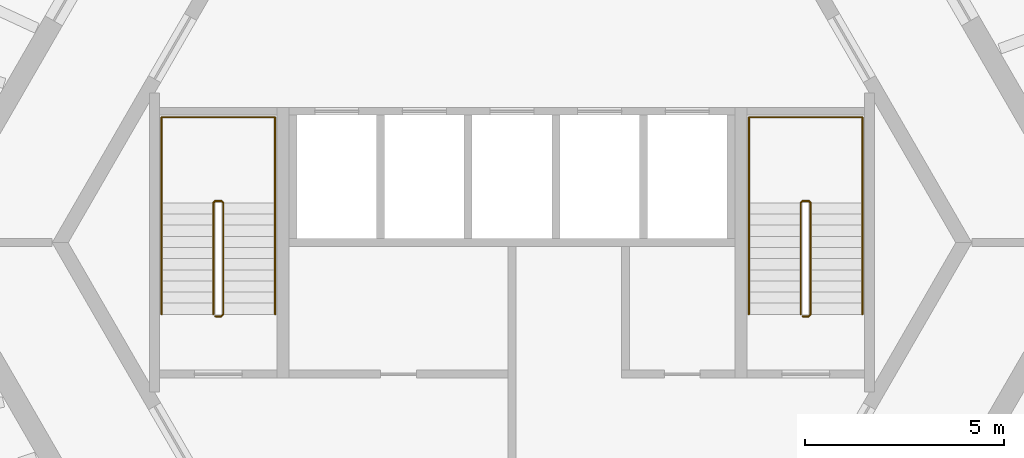
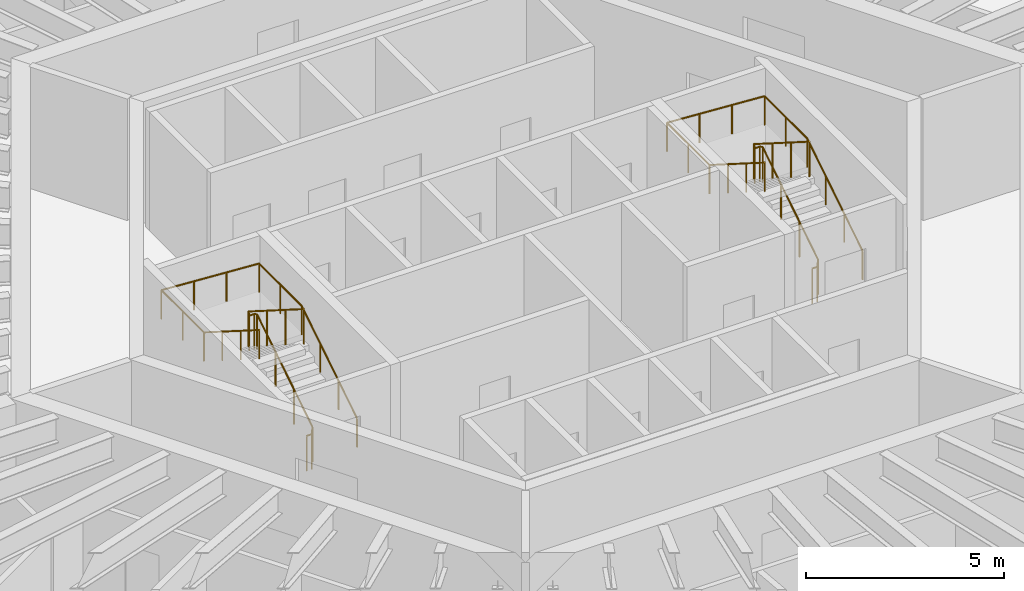
# One storey, part 10 of 10: 4 railings.
"""IFC4 building model written with IfcOpenShell, lengths in metres."""

from ifc_helpers import new_model, si_unit, direction, frame, origin, origin_2d, place, context, subcontext, project, spatial, circle, extrude, material, type_object, element, save


model = new_model("IFC4")

# Units and contexts
model_context = context("Model", 3, precision=1e-05, world=origin(), true_north=direction((0.0, 1.0)))
body_context = subcontext(model_context, "Body", "Model", "MODEL_VIEW")
ifc_project = project(units=[si_unit("LENGTHUNIT", "METRE"), si_unit("AREAUNIT", "SQUARE_METRE"), si_unit("VOLUMEUNIT", "CUBIC_METRE"), si_unit("PLANEANGLEUNIT", "RADIAN"), si_unit("MASSUNIT", "GRAM", prefix="KILO")], contexts=[model_context])

# Site, building, storey
site_placement = place(None, origin())
site = spatial("IfcSite", under=ifc_project, at=site_placement, CompositionType="ELEMENT")
building_placement = place(site_placement, origin())
building = spatial("IfcBuilding", under=site, at=building_placement, Name="Tarnside Tower", CompositionType="ELEMENT")
storey_placement = place(building_placement, frame((0.0, 0.0, 211.199951171875)))
storey = spatial("IfcBuildingStorey", under=building, at=storey_placement, Name="L50", CompositionType="ELEMENT", Elevation=211.199951171875)

# Railings
ifc_material = material(Name="Stainless steel", Category="steel")
railing_type_1 = type_object("IfcRailingType", Name="Stair guard 1100", PredefinedType="GUARDRAIL", material=ifc_material)
railing_1_placement = place(storey_placement, frame((7.300048828125, -1.85009765625, 0.0)))
element("IfcRailing", 1, at=railing_1_placement, inside=storey, type_object=railing_type_1, Name="L50 ST1 stair guard 1", PredefinedType="GUARDRAIL", context=body_context, shape_type="SweptSolid", body=[
    extrude(circle(Radius=0.02392578125, at=origin_2d()), frame((0.0, 0.0, 1.076171875), z_axis=(1.0, 0.0, 0.0), x_axis=(0.0, 1.0, 0.0)), (0.0, 0.0, 1.0), 0.14990234375),
    extrude(circle(Radius=0.02392578125, at=origin_2d()), frame((0.14990234375, 0.0, 1.076171875), z_axis=(0.262233686654, 0.262233686654, 0.928691007369), x_axis=(-0.707106781187, 0.707106781187, 0.0)), (0.0, 0.0, 1.0), 0.19091796875),
    extrude(circle(Radius=0.02392578125, at=origin_2d()), frame((0.199951171875, 0.050048828125, 1.25341796875), z_axis=(0.0, 0.844908973607, 0.534910110503), x_axis=(-1.0, 0.0, 0.0)), (0.0, 0.0, 1.0), 3.31396484375),
    extrude(circle(Radius=0.02392578125, at=origin_2d()), frame((0.199951171875, 2.85009765625, 3.02587890625), z_axis=(-0.707106781187, 0.707106781187, 0.0), x_axis=(-0.707106781187, -0.707106781187, 0.0)), (0.0, 0.0, 1.0), 0.07080078125),
    extrude(circle(Radius=0.02392578125, at=origin_2d()), frame((0.14990234375, 2.900146484375, 3.02587890625), z_axis=(-1.0, 0.0, 0.0), x_axis=(0.0, -1.0, 0.0)), (0.0, 0.0, 1.0), 0.14990234375),
    extrude(circle(Radius=0.02392578125, at=origin_2d()), frame((0.0, 2.900146484375, 3.02587890625), z_axis=(-0.261922500866, -0.261922500866, 0.928866625022), x_axis=(0.707106781187, -0.707106781187, 0.0)), (0.0, 0.0, 1.0), 0.191162109375),
    extrude(circle(Radius=0.02392578125, at=origin_2d()), frame((-0.050048828125, 2.85009765625, 3.20361328125), z_axis=(0.0, -0.844908973607, 0.534910110503), x_axis=(1.0, 0.0, 0.0)), (0.0, 0.0, 1.0), 3.31396484375),
    extrude(circle(Radius=0.02099609375, at=origin_2d()), origin(), (0.0, 0.0, 1.0), 1.052001953125),
    extrude(circle(Radius=0.02099609375, at=origin_2d()), frame((0.14990234375, 0.0, 0.0)), (0.0, 0.0, 1.0), 1.052001953125),
    extrude(circle(Radius=0.02099609375, at=origin_2d()), frame((0.199951171875, 0.050048828125, 0.17724609375)), (0.0, 0.0, 1.0), 1.052001953125),
    extrude(circle(Radius=0.02099609375, at=origin_2d()), frame((0.199951171875, 0.9833984375, 0.76806640625)), (0.0, 0.0, 1.0), 1.052001953125),
    extrude(circle(Radius=0.02099609375, at=origin_2d()), frame((0.199951171875, 1.916748046875, 1.359130859375)), (0.0, 0.0, 1.0), 1.052001953125),
    extrude(circle(Radius=0.02099609375, at=origin_2d()), frame((0.199951171875, 2.85009765625, 1.949951171875)), (0.0, 0.0, 1.0), 1.052001953125),
    extrude(circle(Radius=0.02099609375, at=origin_2d()), frame((0.14990234375, 2.900146484375, 1.949951171875)), (0.0, 0.0, 1.0), 1.052001953125),
    extrude(circle(Radius=0.02099609375, at=origin_2d()), frame((0.0, 2.900146484375, 1.949951171875)), (0.0, 0.0, 1.0), 1.052001953125),
    extrude(circle(Radius=0.02099609375, at=origin_2d()), frame((-0.050048828125, 2.85009765625, 2.12744140625)), (0.0, 0.0, 1.0), 1.052001953125),
    extrude(circle(Radius=0.02099609375, at=origin_2d()), frame((-0.050048828125, 1.916748046875, 2.71826171875)), (0.0, 0.0, 1.0), 1.052001953125),
    extrude(circle(Radius=0.02099609375, at=origin_2d()), frame((-0.050048828125, 0.9833984375, 3.309326171875)), (0.0, 0.0, 1.0), 1.052001953125),
    extrude(circle(Radius=0.02099609375, at=origin_2d()), frame((-0.050048828125, 0.050048828125, 3.900146484375)), (0.0, 0.0, 1.0), 1.052001953125),
])
railing_2_placement = place(storey_placement, frame((-7.449951171875, -1.85009765625, 0.0)))
element("IfcRailing", 2, at=railing_2_placement, inside=storey, type_object=railing_type_1, Name="L50 ST2 stair guard 1", PredefinedType="GUARDRAIL", context=body_context, shape_type="SweptSolid", body=[
    extrude(circle(Radius=0.02392578125, at=origin_2d()), frame((0.0, 0.0, 1.076171875), z_axis=(1.0, 0.0, 0.0), x_axis=(0.0, 1.0, 0.0)), (0.0, 0.0, 1.0), 0.14990234375),
    extrude(circle(Radius=0.02392578125, at=origin_2d()), frame((0.14990234375, 0.0, 1.076171875), z_axis=(0.262233686654, 0.262233686654, 0.928691007369), x_axis=(-0.707106781187, 0.707106781187, 0.0)), (0.0, 0.0, 1.0), 0.19091796875),
    extrude(circle(Radius=0.02392578125, at=origin_2d()), frame((0.199951171875, 0.050048828125, 1.25341796875), z_axis=(0.0, 0.844908973607, 0.534910110503), x_axis=(-1.0, 0.0, 0.0)), (0.0, 0.0, 1.0), 3.31396484375),
    extrude(circle(Radius=0.02392578125, at=origin_2d()), frame((0.199951171875, 2.85009765625, 3.02587890625), z_axis=(-0.707106781187, 0.707106781187, 0.0), x_axis=(-0.707106781187, -0.707106781187, 0.0)), (0.0, 0.0, 1.0), 0.07080078125),
    extrude(circle(Radius=0.02392578125, at=origin_2d()), frame((0.14990234375, 2.900146484375, 3.02587890625), z_axis=(-1.0, 0.0, 0.0), x_axis=(0.0, -1.0, 0.0)), (0.0, 0.0, 1.0), 0.14990234375),
    extrude(circle(Radius=0.02392578125, at=origin_2d()), frame((0.0, 2.900146484375, 3.02587890625), z_axis=(-0.261922500866, -0.261922500866, 0.928866625022), x_axis=(0.707106781187, -0.707106781187, 0.0)), (0.0, 0.0, 1.0), 0.191162109375),
    extrude(circle(Radius=0.02392578125, at=origin_2d()), frame((-0.050048828125, 2.85009765625, 3.20361328125), z_axis=(0.0, -0.844908973607, 0.534910110503), x_axis=(1.0, 0.0, 0.0)), (0.0, 0.0, 1.0), 3.31396484375),
    extrude(circle(Radius=0.02099609375, at=origin_2d()), origin(), (0.0, 0.0, 1.0), 1.052001953125),
    extrude(circle(Radius=0.02099609375, at=origin_2d()), frame((0.14990234375, 0.0, 0.0)), (0.0, 0.0, 1.0), 1.052001953125),
    extrude(circle(Radius=0.02099609375, at=origin_2d()), frame((0.199951171875, 0.050048828125, 0.17724609375)), (0.0, 0.0, 1.0), 1.052001953125),
    extrude(circle(Radius=0.02099609375, at=origin_2d()), frame((0.199951171875, 0.9833984375, 0.76806640625)), (0.0, 0.0, 1.0), 1.052001953125),
    extrude(circle(Radius=0.02099609375, at=origin_2d()), frame((0.199951171875, 1.916748046875, 1.359130859375)), (0.0, 0.0, 1.0), 1.052001953125),
    extrude(circle(Radius=0.02099609375, at=origin_2d()), frame((0.199951171875, 2.85009765625, 1.949951171875)), (0.0, 0.0, 1.0), 1.052001953125),
    extrude(circle(Radius=0.02099609375, at=origin_2d()), frame((0.14990234375, 2.900146484375, 1.949951171875)), (0.0, 0.0, 1.0), 1.052001953125),
    extrude(circle(Radius=0.02099609375, at=origin_2d()), frame((0.0, 2.900146484375, 1.949951171875)), (0.0, 0.0, 1.0), 1.052001953125),
    extrude(circle(Radius=0.02099609375, at=origin_2d()), frame((-0.050048828125, 2.85009765625, 2.12744140625)), (0.0, 0.0, 1.0), 1.052001953125),
    extrude(circle(Radius=0.02099609375, at=origin_2d()), frame((-0.050048828125, 1.916748046875, 2.71826171875)), (0.0, 0.0, 1.0), 1.052001953125),
    extrude(circle(Radius=0.02099609375, at=origin_2d()), frame((-0.050048828125, 0.9833984375, 3.309326171875)), (0.0, 0.0, 1.0), 1.052001953125),
    extrude(circle(Radius=0.02099609375, at=origin_2d()), frame((-0.050048828125, 0.050048828125, 3.900146484375)), (0.0, 0.0, 1.0), 1.052001953125),
])
railing_type_2 = type_object("IfcRailingType", Name="Stair handrail 900", PredefinedType="HANDRAIL", material=ifc_material)
railing_3_placement = place(storey_placement, frame((8.800048828125, -1.800048828125, 0.17724609375)))
element("IfcRailing", 3, at=railing_3_placement, inside=storey, type_object=railing_type_2, Name="L50 ST1 stair handrail 1", PredefinedType="HANDRAIL", context=body_context, shape_type="SweptSolid", body=[
    extrude(circle(Radius=0.02392578125, at=origin_2d()), frame((0.0, 0.0, 0.8857421875), z_axis=(0.0, 0.844908973607, 0.534910110503), x_axis=(-1.0, 0.0, 0.0)), (0.0, 0.0, 1.0), 3.31396484375),
    extrude(circle(Radius=0.02392578125, at=origin_2d()), frame((0.0, 2.800048828125, 2.65869140625), z_axis=(0.0, 1.0, 0.0), x_axis=(-1.0, 0.0, 0.0)), (0.0, 0.0, 1.0), 2.14990234375),
    extrude(circle(Radius=0.02392578125, at=origin_2d()), frame((0.0, 4.949951171875, 2.65869140625), z_axis=(-0.998066525363, 0.0, 0.062154733933), x_axis=(0.0, -1.0, 0.0)), (0.0, 0.0, 1.0), 2.855712890625),
    extrude(circle(Radius=0.02392578125, at=origin_2d()), frame((-2.85009765625, 4.949951171875, 2.8359375), z_axis=(0.0, -1.0, 0.0), x_axis=(1.0, 0.0, 0.0)), (0.0, 0.0, 1.0), 2.14990234375),
    extrude(circle(Radius=0.02392578125, at=origin_2d()), frame((-2.85009765625, 2.800048828125, 2.8359375), z_axis=(0.0, -0.844908973607, 0.534910110503), x_axis=(1.0, 0.0, 0.0)), (0.0, 0.0, 1.0), 3.31396484375),
    extrude(circle(Radius=0.02099609375, at=origin_2d()), origin(), (0.0, 0.0, 1.0), 0.86181640625),
    extrude(circle(Radius=0.02099609375, at=origin_2d()), frame((0.0, 0.933349609375, 0.5908203125)), (0.0, 0.0, 1.0), 0.86181640625),
    extrude(circle(Radius=0.02099609375, at=origin_2d()), frame((0.0, 1.86669921875, 1.181884765625)), (0.0, 0.0, 1.0), 0.86181640625),
    extrude(circle(Radius=0.02099609375, at=origin_2d()), frame((0.0, 2.800048828125, 1.772705078125)), (0.0, 0.0, 1.0), 0.86181640625),
    extrude(circle(Radius=0.02099609375, at=origin_2d()), frame((0.0, 3.875, 1.772705078125)), (0.0, 0.0, 1.0), 0.86181640625),
    extrude(circle(Radius=0.02099609375, at=origin_2d()), frame((0.0, 4.949951171875, 1.772705078125)), (0.0, 0.0, 1.0), 0.86181640625),
    extrude(circle(Radius=0.02099609375, at=origin_2d()), frame((-0.949951171875, 4.949951171875, 1.831787109375)), (0.0, 0.0, 1.0), 0.86181640625),
    extrude(circle(Radius=0.02099609375, at=origin_2d()), frame((-1.900146484375, 4.949951171875, 1.89111328125)), (0.0, 0.0, 1.0), 0.86181640625),
    extrude(circle(Radius=0.02099609375, at=origin_2d()), frame((-2.85009765625, 4.949951171875, 1.9501953125)), (0.0, 0.0, 1.0), 0.86181640625),
    extrude(circle(Radius=0.02099609375, at=origin_2d()), frame((-2.85009765625, 3.875, 1.9501953125)), (0.0, 0.0, 1.0), 0.86181640625),
    extrude(circle(Radius=0.02099609375, at=origin_2d()), frame((-2.85009765625, 2.800048828125, 1.9501953125)), (0.0, 0.0, 1.0), 0.86181640625),
    extrude(circle(Radius=0.02099609375, at=origin_2d()), frame((-2.85009765625, 1.86669921875, 2.541015625)), (0.0, 0.0, 1.0), 0.86181640625),
    extrude(circle(Radius=0.02099609375, at=origin_2d()), frame((-2.85009765625, 0.933349609375, 3.132080078125)), (0.0, 0.0, 1.0), 0.86181640625),
    extrude(circle(Radius=0.02099609375, at=origin_2d()), frame((-2.85009765625, 0.0, 3.722900390625)), (0.0, 0.0, 1.0), 0.86181640625),
])
railing_4_placement = place(storey_placement, frame((-5.949951171875, -1.800048828125, 0.17724609375)))
element("IfcRailing", 4, at=railing_4_placement, inside=storey, type_object=railing_type_2, Name="L50 ST2 stair handrail 1", PredefinedType="HANDRAIL", context=body_context, shape_type="SweptSolid", body=[
    extrude(circle(Radius=0.02392578125, at=origin_2d()), frame((0.0, 0.0, 0.8857421875), z_axis=(0.0, 0.844908973607, 0.534910110503), x_axis=(-1.0, 0.0, 0.0)), (0.0, 0.0, 1.0), 3.31396484375),
    extrude(circle(Radius=0.02392578125, at=origin_2d()), frame((0.0, 2.800048828125, 2.65869140625), z_axis=(0.0, 1.0, 0.0), x_axis=(-1.0, 0.0, 0.0)), (0.0, 0.0, 1.0), 2.14990234375),
    extrude(circle(Radius=0.02392578125, at=origin_2d()), frame((0.0, 4.949951171875, 2.65869140625), z_axis=(-0.998066525363, 0.0, 0.062154733933), x_axis=(0.0, -1.0, 0.0)), (0.0, 0.0, 1.0), 2.855712890625),
    extrude(circle(Radius=0.02392578125, at=origin_2d()), frame((-2.85009765625, 4.949951171875, 2.8359375), z_axis=(0.0, -1.0, 0.0), x_axis=(1.0, 0.0, 0.0)), (0.0, 0.0, 1.0), 2.14990234375),
    extrude(circle(Radius=0.02392578125, at=origin_2d()), frame((-2.85009765625, 2.800048828125, 2.8359375), z_axis=(0.0, -0.844908973607, 0.534910110503), x_axis=(1.0, 0.0, 0.0)), (0.0, 0.0, 1.0), 3.31396484375),
    extrude(circle(Radius=0.02099609375, at=origin_2d()), origin(), (0.0, 0.0, 1.0), 0.86181640625),
    extrude(circle(Radius=0.02099609375, at=origin_2d()), frame((0.0, 0.933349609375, 0.5908203125)), (0.0, 0.0, 1.0), 0.86181640625),
    extrude(circle(Radius=0.02099609375, at=origin_2d()), frame((0.0, 1.86669921875, 1.181884765625)), (0.0, 0.0, 1.0), 0.86181640625),
    extrude(circle(Radius=0.02099609375, at=origin_2d()), frame((0.0, 2.800048828125, 1.772705078125)), (0.0, 0.0, 1.0), 0.86181640625),
    extrude(circle(Radius=0.02099609375, at=origin_2d()), frame((0.0, 3.875, 1.772705078125)), (0.0, 0.0, 1.0), 0.86181640625),
    extrude(circle(Radius=0.02099609375, at=origin_2d()), frame((0.0, 4.949951171875, 1.772705078125)), (0.0, 0.0, 1.0), 0.86181640625),
    extrude(circle(Radius=0.02099609375, at=origin_2d()), frame((-0.949951171875, 4.949951171875, 1.831787109375)), (0.0, 0.0, 1.0), 0.86181640625),
    extrude(circle(Radius=0.02099609375, at=origin_2d()), frame((-1.900146484375, 4.949951171875, 1.89111328125)), (0.0, 0.0, 1.0), 0.86181640625),
    extrude(circle(Radius=0.02099609375, at=origin_2d()), frame((-2.85009765625, 4.949951171875, 1.9501953125)), (0.0, 0.0, 1.0), 0.86181640625),
    extrude(circle(Radius=0.02099609375, at=origin_2d()), frame((-2.85009765625, 3.875, 1.9501953125)), (0.0, 0.0, 1.0), 0.86181640625),
    extrude(circle(Radius=0.02099609375, at=origin_2d()), frame((-2.85009765625, 2.800048828125, 1.9501953125)), (0.0, 0.0, 1.0), 0.86181640625),
    extrude(circle(Radius=0.02099609375, at=origin_2d()), frame((-2.85009765625, 1.86669921875, 2.541015625)), (0.0, 0.0, 1.0), 0.86181640625),
    extrude(circle(Radius=0.02099609375, at=origin_2d()), frame((-2.85009765625, 0.933349609375, 3.132080078125)), (0.0, 0.0, 1.0), 0.86181640625),
    extrude(circle(Radius=0.02099609375, at=origin_2d()), frame((-2.85009765625, 0.0, 3.722900390625)), (0.0, 0.0, 1.0), 0.86181640625),
])

save(model, "model.ifc")
